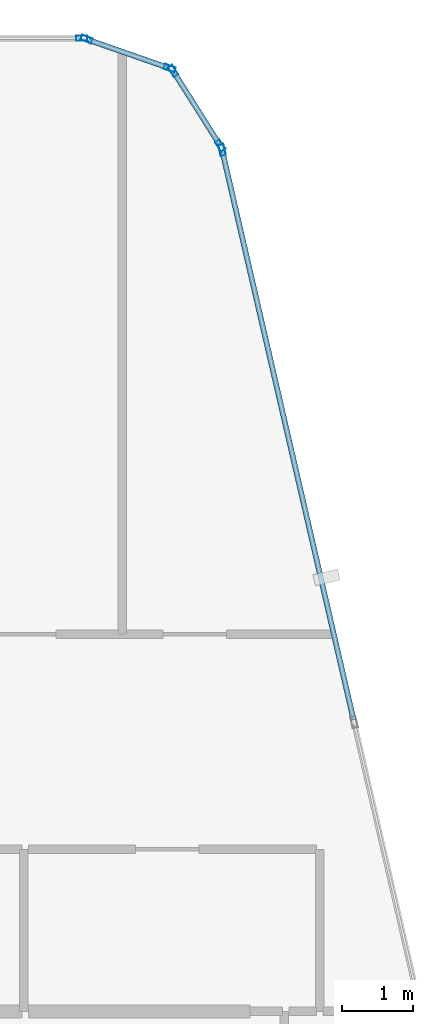
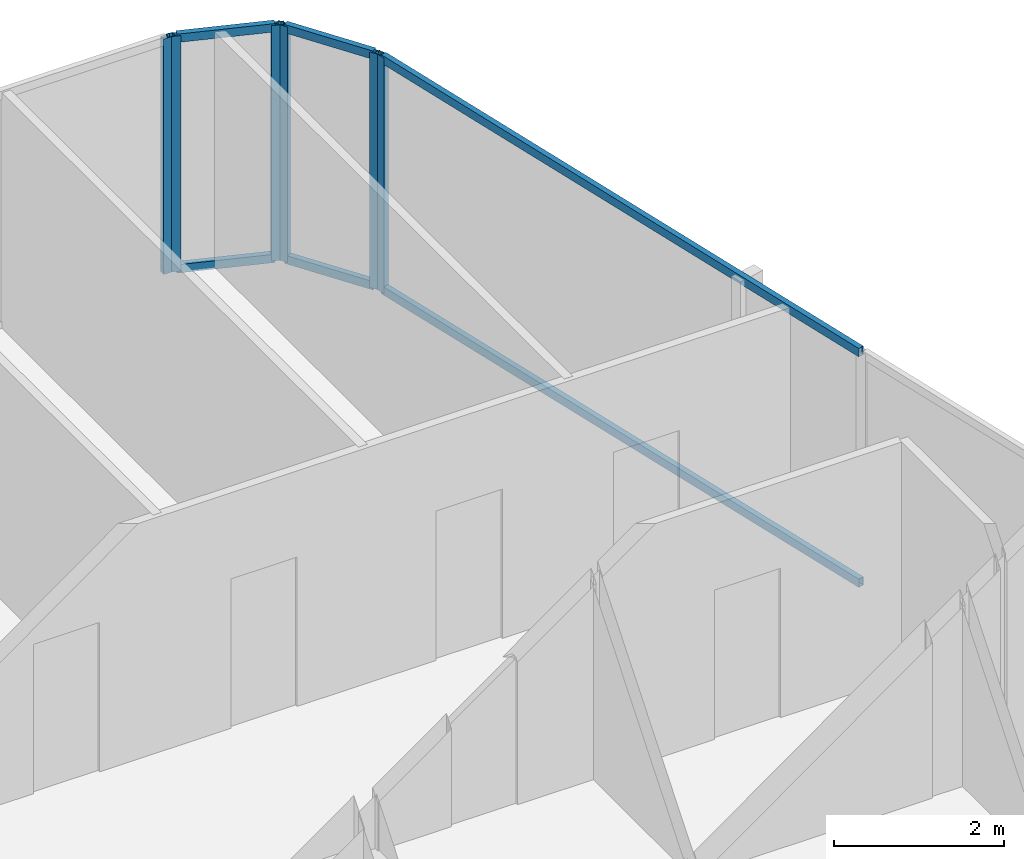
# One storey, part 21 of 29: 12 members, 4 elements without a shape of their own.
"""IFC4 building model written with IfcOpenShell, lengths in metres."""

from ifc_helpers import new_model, si_unit, direction, frame, origin, origin_2d, place, context, subcontext, project, spatial, hollow_rectangle, extrude, material, layer, layer_set, material_profile, profile_set, type_object, element, aggregate, save


model = new_model("IFC4")

# Units and contexts
model_context = context("Model", 3, precision=1e-05, world=origin(), true_north=direction((0.0, 1.0)))
body_context = subcontext(model_context, "Body", "Model", "MODEL_VIEW")
ifc_project = project(units=[si_unit("LENGTHUNIT", "METRE"), si_unit("AREAUNIT", "SQUARE_METRE"), si_unit("VOLUMEUNIT", "CUBIC_METRE"), si_unit("PLANEANGLEUNIT", "RADIAN"), si_unit("MASSUNIT", "GRAM", prefix="KILO")], contexts=[model_context])

# Site, building, storey
site_placement = place(None, origin())
site = spatial("IfcSite", under=ifc_project, at=site_placement, CompositionType="ELEMENT")
building_placement = place(site_placement, origin())
building = spatial("IfcBuilding", under=site, at=building_placement, Name="Keshet Zoharim Tower", CompositionType="ELEMENT")
storey_placement = place(building_placement, frame((0.0, 0.0, 203.199951171875)))
storey = spatial("IfcBuildingStorey", under=building, at=storey_placement, Name="L50", CompositionType="ELEMENT", Elevation=203.199951171875)

# Curtain wall, member
ifc_material = material(Name="Aluminium 6063-T6", Category="aluminium")
ifc_layer = layer(ifc_material, 0.139892578125)
ifc_layer_set = layer_set([ifc_layer], Name="Aluminium 6063-T6")
curtain_wall_type = type_object("IfcCurtainWallType", Name="CW-SYS-05", PredefinedType="NOTDEFINED", material=ifc_layer_set)
curtain_wall_1_placement = place(storey_placement, origin())
curtain_wall_1 = element("IfcCurtainWall", 1, at=curtain_wall_1_placement, inside=storey, type_object=curtain_wall_type, Name="L50 Unitised Curtain Wall 16 Part 3", PredefinedType="NOTDEFINED")
ifc_material_profile_1 = material_profile(ifc_material, hollow_rectangle(XDim=0.074951171875, YDim=0.159912109375, WallThickness=0.00390625, at=origin_2d()), Name="MUL-75x160")
ifc_profile_set_1 = profile_set([ifc_material_profile_1], Name="Aluminium 6063-T6")
member_type_1 = type_object("IfcMemberType", Name="CWM-M15", PredefinedType="MULLION", material=ifc_profile_set_1)
member_1_placement = place(storey_placement, frame((37.3740234375, 53.89990234375, 0.0), z_axis=(0.0, 0.0, 1.0), x_axis=(0.0, 1.0, 0.0)))
member_1 = element("IfcMember", 2, at=member_1_placement, type_object=member_type_1, Name="CW-05 mullion 3", PredefinedType="MULLION", context=body_context, shape_type="SweptSolid", body=[
    extrude(hollow_rectangle(XDim=0.074951171875, YDim=0.159912109375, WallThickness=0.00390625, at=origin_2d()), origin(), (0.0, 0.0, 1.0), 3.39013671875),
])
aggregate(curtain_wall_1, [member_1])

# Curtain wall, members
curtain_wall_2_placement = place(storey_placement, origin())
curtain_wall_2 = element("IfcCurtainWall", 3, at=curtain_wall_2_placement, inside=storey, type_object=curtain_wall_type, Name="L50 Unitised Curtain Wall 17", PredefinedType="NOTDEFINED")
member_2_placement = place(storey_placement, frame((37.442138671875, 53.888427734375, 0.0), z_axis=(0.0, 0.0, 1.0), x_axis=(0.329843743636, 0.944035542119, 0.0)))
member_2 = element("IfcMember", 4, at=member_2_placement, type_object=member_type_1, Name="CW-05 mullion 1", PredefinedType="MULLION", context=body_context, shape_type="SweptSolid", body=[
    extrude(hollow_rectangle(XDim=0.074951171875, YDim=0.159912109375, WallThickness=0.00390625, at=origin_2d()), origin(), (0.0, 0.0, 1.0), 3.39013671875),
])
member_3_placement = place(storey_placement, frame((38.620849609375, 53.4765625, 0.0), z_axis=(0.0, 0.0, 1.0), x_axis=(0.329843743636, 0.944035542119, 0.0)))
member_3 = element("IfcMember", 5, at=member_3_placement, type_object=member_type_1, Name="CW-05 mullion 2", PredefinedType="MULLION", context=body_context, shape_type="SweptSolid", body=[
    extrude(hollow_rectangle(XDim=0.074951171875, YDim=0.159912109375, WallThickness=0.00390625, at=origin_2d()), origin(), (0.0, 0.0, 1.0), 3.39013671875),
])

curtain_wall_3_placement = place(storey_placement, origin())
curtain_wall_3 = element("IfcCurtainWall", 6, at=curtain_wall_3_placement, inside=storey, type_object=curtain_wall_type, Name="L50 Unitised Curtain Wall 18", PredefinedType="NOTDEFINED")
member_4_placement = place(storey_placement, frame((38.672607421875, 53.435302734375, 0.0), z_axis=(0.0, 0.0, 1.0), x_axis=(0.845560976183, 0.533878858502, 0.0)))
member_4 = element("IfcMember", 7, at=member_4_placement, type_object=member_type_1, Name="CW-05 mullion 1", PredefinedType="MULLION", context=body_context, shape_type="SweptSolid", body=[
    extrude(hollow_rectangle(XDim=0.074951171875, YDim=0.159912109375, WallThickness=0.00390625, at=origin_2d()), origin(), (0.0, 0.0, 1.0), 3.39013671875),
])
member_5_placement = place(storey_placement, frame((39.33935546875, 52.379638671875, 0.0), z_axis=(0.0, 0.0, 1.0), x_axis=(0.845560976183, 0.533878858502, 0.0)))
member_5 = element("IfcMember", 8, at=member_5_placement, type_object=member_type_1, Name="CW-05 mullion 2", PredefinedType="MULLION", context=body_context, shape_type="SweptSolid", body=[
    extrude(hollow_rectangle(XDim=0.074951171875, YDim=0.159912109375, WallThickness=0.00390625, at=origin_2d()), origin(), (0.0, 0.0, 1.0), 3.39013671875),
])

# Curtain wall, member
curtain_wall_4_placement = place(storey_placement, origin())
curtain_wall_4 = element("IfcCurtainWall", 9, at=curtain_wall_4_placement, inside=storey, type_object=curtain_wall_type, Name="L50 Unitised Curtain Wall 19", PredefinedType="NOTDEFINED")
member_6_placement = place(storey_placement, frame((39.365966796875, 52.31591796875, 0.0), z_axis=(0.0, 0.0, 1.0), x_axis=(0.974393882313, 0.224847864369, 0.0)))
member_6 = element("IfcMember", 10, at=member_6_placement, type_object=member_type_1, Name="CW-05 mullion 1", PredefinedType="MULLION", context=body_context, shape_type="SweptSolid", body=[
    extrude(hollow_rectangle(XDim=0.074951171875, YDim=0.159912109375, WallThickness=0.00390625, at=origin_2d()), origin(), (0.0, 0.0, 1.0), 3.39013671875),
])

# Member
ifc_material_profile_2 = material_profile(ifc_material, hollow_rectangle(XDim=0.074951171875, YDim=0.1201171875, WallThickness=0.00390625, at=origin_2d()), Name="TRN-75x120")
ifc_profile_set_2 = profile_set([ifc_material_profile_2], Name="Aluminium 6063-T6")
member_type_2 = type_object("IfcMemberType", Name="CWT-T12", PredefinedType="USERDEFINED", material=ifc_profile_set_2)
member_7_placement = place(storey_placement, frame((37.47509765625, 53.876953125, 0.03515625), z_axis=(0.944006789648, -0.329926023675, 0.0), x_axis=(0.329926023675, 0.944006789648, 0.0)))
member_7 = element("IfcMember", 11, at=member_7_placement, type_object=member_type_2, Name="CW-05 transom 1.1", ObjectType="TRANSOM", PredefinedType="USERDEFINED", context=body_context, shape_type="SweptSolid", body=[
    extrude(hollow_rectangle(XDim=0.074951171875, YDim=0.1201171875, WallThickness=0.00390625, at=origin_2d()), origin(), (0.0, 0.0, 1.0), 1.1787109375),
])

member_8_placement = place(storey_placement, frame((37.47509765625, 53.876953125, 3.35498046875), z_axis=(0.944006789648, -0.329926023675, 0.0), x_axis=(0.329926023675, 0.944006789648, 0.0)))
member_8 = element("IfcMember", 12, at=member_8_placement, type_object=member_type_2, Name="CW-05 transom 1.2", ObjectType="TRANSOM", PredefinedType="USERDEFINED", context=body_context, shape_type="SweptSolid", body=[
    extrude(hollow_rectangle(XDim=0.074951171875, YDim=0.1201171875, WallThickness=0.00390625, at=origin_2d()), origin(), (0.0, 0.0, 1.0), 1.1787109375),
])

aggregate(curtain_wall_2, [member_2, member_3, member_7, member_8])

member_9_placement = place(storey_placement, frame((38.69140625, 53.40576171875, 0.03515625), z_axis=(0.53382931122, -0.845592257819, 0.0), x_axis=(0.845592257819, 0.53382931122, 0.0)))
member_9 = element("IfcMember", 13, at=member_9_placement, type_object=member_type_2, Name="CW-05 transom 1.1", ObjectType="TRANSOM", PredefinedType="USERDEFINED", context=body_context, shape_type="SweptSolid", body=[
    extrude(hollow_rectangle(XDim=0.074951171875, YDim=0.1201171875, WallThickness=0.00390625, at=origin_2d()), origin(), (0.0, 0.0, 1.0), 1.178466796875),
])

member_10_placement = place(storey_placement, frame((38.69140625, 53.40576171875, 3.35498046875), z_axis=(0.53382931122, -0.845592257819, 0.0), x_axis=(0.845592257819, 0.53382931122, 0.0)))
member_10 = element("IfcMember", 14, at=member_10_placement, type_object=member_type_2, Name="CW-05 transom 1.2", ObjectType="TRANSOM", PredefinedType="USERDEFINED", context=body_context, shape_type="SweptSolid", body=[
    extrude(hollow_rectangle(XDim=0.074951171875, YDim=0.1201171875, WallThickness=0.00390625, at=origin_2d()), origin(), (0.0, 0.0, 1.0), 1.178466796875),
])

aggregate(curtain_wall_3, [member_4, member_5, member_9, member_10])

member_11_placement = place(storey_placement, frame((39.373779296875, 52.28173828125, 0.03515625), z_axis=(0.224835758738, -0.974396675688, 0.0), x_axis=(0.974396675688, 0.224835758738, 0.0)))
member_11 = element("IfcMember", 15, at=member_11_placement, type_object=member_type_2, Name="CW-05 transom 1.1", ObjectType="TRANSOM", PredefinedType="USERDEFINED", context=body_context, shape_type="SweptSolid", body=[
    extrude(hollow_rectangle(XDim=0.074951171875, YDim=0.1201171875, WallThickness=0.00390625, at=origin_2d()), origin(), (0.0, 0.0, 1.0), 8.259033203125),
])

member_12_placement = place(storey_placement, frame((39.373779296875, 52.28173828125, 3.35498046875), z_axis=(0.224835758738, -0.974396675688, 0.0), x_axis=(0.974396675688, 0.224835758738, 0.0)))
member_12 = element("IfcMember", 16, at=member_12_placement, type_object=member_type_2, Name="CW-05 transom 1.2", ObjectType="TRANSOM", PredefinedType="USERDEFINED", context=body_context, shape_type="SweptSolid", body=[
    extrude(hollow_rectangle(XDim=0.074951171875, YDim=0.1201171875, WallThickness=0.00390625, at=origin_2d()), origin(), (0.0, 0.0, 1.0), 8.259033203125),
])

aggregate(curtain_wall_4, [member_6, member_11, member_12])

save(model, "model.ifc")
